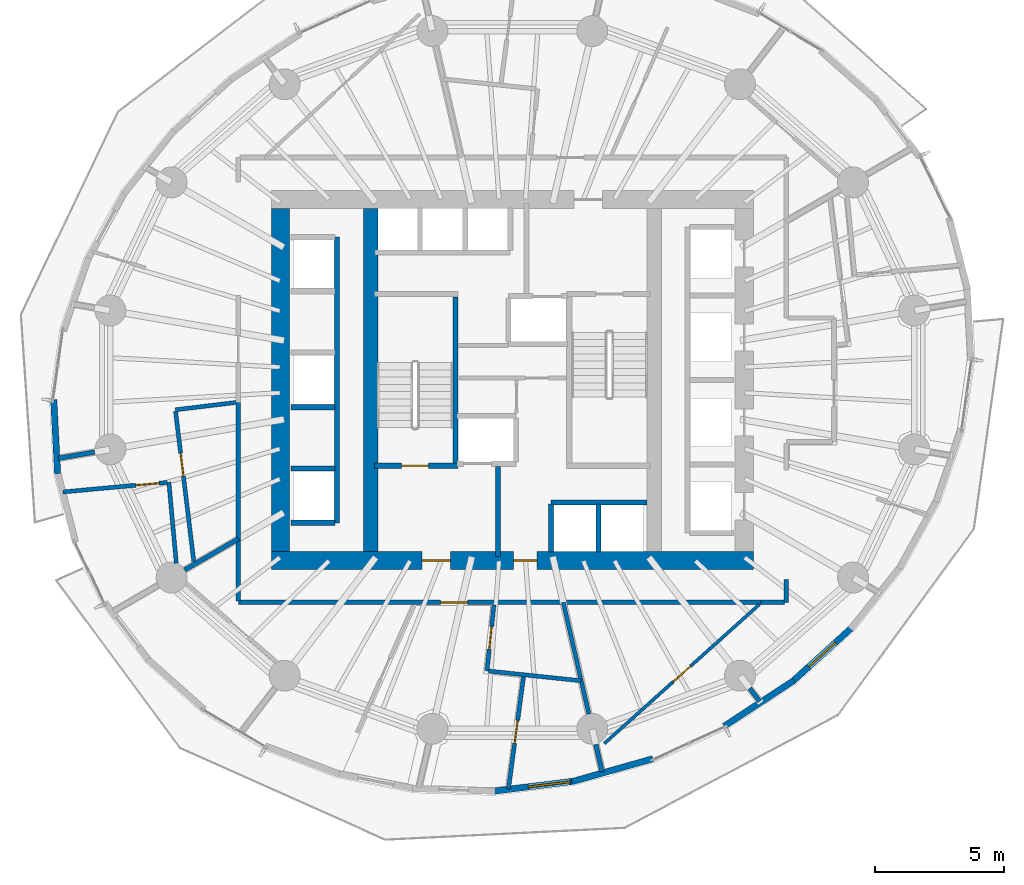
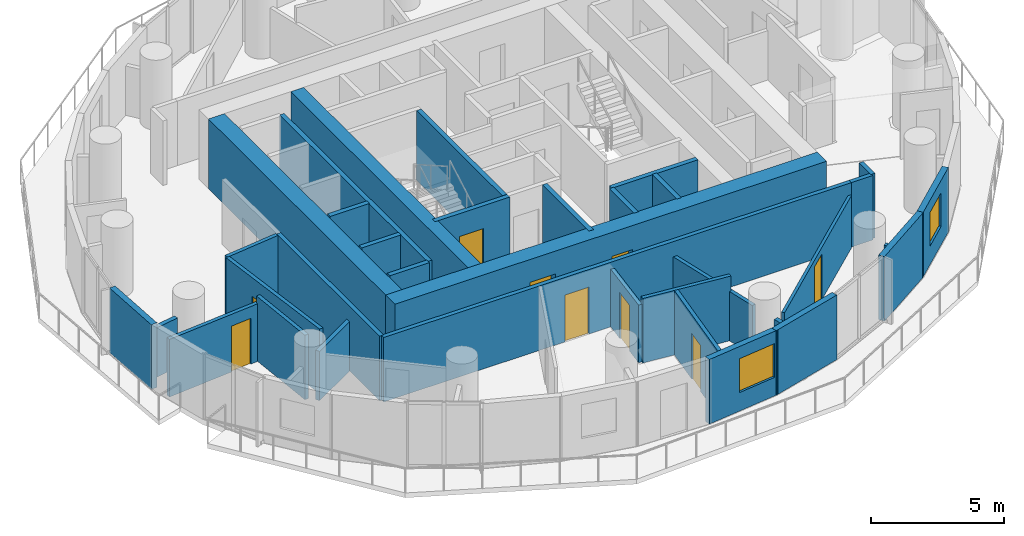
# One storey, part 7 of 14: 35 walls, 9 doors, 2 windows, 11 openings.
"""IFC4 building model written with IfcOpenShell, lengths in metres."""

import ifcopenshell
import ifcopenshell.guid

model = None  # the IFC model being written
_history = None  # IfcOwnerHistory: only IFC2X3 demands one
_inside = {}  # id of a spatial element -> (the spatial element, [elements in it])
_under = {}  # id of a project, library or spatial element -> (it, [spatial elements below it])
_declared = {}  # id of a project -> (the project, [libraries it declares])
_typed = {}  # id of a type object -> (the type object, [elements of that type])
_made_of = {}  # id of a material, layer set ... -> (it, [elements and type objects made of it])


def new_model(schema):
    """Start an empty IFC model of exactly this schema.

    Asked for "IFC4X3", IfcOpenShell would pick the latest addendum, in which some entities
    have other attributes; the version numbers below select the first issue.
    IFC2X3 requires an IfcOwnerHistory on every rooted entity: one is made here for all.
    """
    global model, _history
    if schema == "IFC4X3":
        model = ifcopenshell.file(schema_version=(4, 3, 0, 0))
    else:
        model = ifcopenshell.file(schema=schema)
    _inside.clear()
    _under.clear()
    _declared.clear()
    _typed.clear()
    _made_of.clear()
    _history = None
    if model.schema == "IFC2X3":
        org = make("IfcOrganization", Name="unknown")
        user = make(
            "IfcPersonAndOrganization",
            ThePerson=make("IfcPerson", FamilyName="unknown"),
            TheOrganization=org,
        )
        app = make(
            "IfcApplication",
            ApplicationDeveloper=org,
            Version="unknown",
            ApplicationFullName="unknown",
            ApplicationIdentifier="unknown",
        )
        _history = make(
            "IfcOwnerHistory",
            OwningUser=user,
            OwningApplication=app,
            ChangeAction="ADDED",
            CreationDate=0,
        )
    return model


def make(cls, **values):
    """One entity of the class cls with the attributes given. An attribute that is None is left unset."""
    return model.create_entity(
        cls, **{name: value for name, value in values.items() if value is not None}
    )


def rooted(cls, **values):
    """An entity with a GlobalId (a new one), such as an element, a storey or a relation."""
    return make(cls, GlobalId=ifcopenshell.guid.new(), OwnerHistory=_history, **values)


def si_unit(unit_type, name, prefix=None):
    """IfcSIUnit, for example si_unit("LENGTHUNIT", "METRE", prefix="MILLI")."""
    return make("IfcSIUnit", UnitType=unit_type, Prefix=prefix, Name=name)


def assignment(units):
    """IfcUnitAssignment: the units of a project."""
    return None if units is None else make("IfcUnitAssignment", Units=units)


def point(xyz):
    """IfcCartesianPoint."""
    return None if xyz is None else make("IfcCartesianPoint", Coordinates=xyz)


def direction(xyz):
    """IfcDirection."""
    return None if xyz is None else make("IfcDirection", DirectionRatios=xyz)


def frame(location, z_axis=None, x_axis=None):
    """IfcAxis2Placement3D, a coordinate frame: its origin and axes. An axis left out is left unset."""
    return make(
        "IfcAxis2Placement3D",
        Location=point(location),
        Axis=direction(z_axis),
        RefDirection=direction(x_axis),
    )


def frame_2d(location, x_axis=None):
    """IfcAxis2Placement2D, a coordinate frame in the plane: its origin and x axis."""
    return make(
        "IfcAxis2Placement2D", Location=point(location), RefDirection=direction(x_axis)
    )


def origin():
    """The frame at (0, 0, 0) with its axes left unset."""
    return frame((0.0, 0.0, 0.0))


def place(relative_to, where):
    """IfcLocalPlacement: puts the frame where relative to a parent placement (None: the world)."""
    return make(
        "IfcLocalPlacement", PlacementRelTo=relative_to, RelativePlacement=where
    )


def context(
    kind, dimensions, precision=None, world=None, true_north=None, identifier=None
):
    """IfcGeometricRepresentationContext, for example the 3D "Model" context."""
    return make(
        "IfcGeometricRepresentationContext",
        ContextIdentifier=identifier,
        ContextType=kind,
        CoordinateSpaceDimension=dimensions,
        Precision=precision,
        WorldCoordinateSystem=world,
        TrueNorth=true_north,
    )


def subcontext(parent, identifier, kind, view, scale=None):
    """IfcGeometricRepresentationSubContext, for example "Body" below "Model"."""
    return make(
        "IfcGeometricRepresentationSubContext",
        ContextIdentifier=identifier,
        ContextType=kind,
        ParentContext=parent,
        TargetScale=scale,
        TargetView=view,
    )


def project(units=None, contexts=None):
    """IfcProject with its units and contexts."""
    return rooted(
        "IfcProject",
        Name="project",
        RepresentationContexts=contexts,
        UnitsInContext=assignment(units),
    )


def spatial(cls, under=None, at=None, **own):
    """A site, building, storey or space (cls), placed at a placement, below another one or the project."""
    s = rooted(cls, ObjectPlacement=at, **own)
    if under is not None:
        _under.setdefault(under.id(), (under, []))[1].append(s)
    return s


def profile(cls, at=None, kind="AREA", **sizes):
    """A parametric profile (cls). Its sizes go by their IFC names, for example OverallWidth=200.0."""
    return make(cls, ProfileType=kind, Position=at, **sizes)


def rectangle(**sizes):
    """IfcRectangleProfileDef."""
    return profile("IfcRectangleProfileDef", **sizes)


def extrude(swept, where, along, depth):
    """IfcExtrudedAreaSolid: the profile swept, set in the frame where, extruded along a direction by depth."""
    return make(
        "IfcExtrudedAreaSolid",
        SweptArea=swept,
        Position=where,
        ExtrudedDirection=direction(along),
        Depth=depth,
    )


def shape(context_of_items, identifier, shape_type, items):
    """IfcShapeRepresentation: the items that make up one representation, for example the "Body"."""
    return make(
        "IfcShapeRepresentation",
        ContextOfItems=context_of_items,
        RepresentationIdentifier=identifier,
        RepresentationType=shape_type,
        Items=items,
    )


def material(Name=None, Category=None):
    """IfcMaterial."""
    return make("IfcMaterial", Name=Name, Category=Category)


def layer(
    of_material, thickness, ventilated=None, Name=None, Category=None, Priority=None
):
    """IfcMaterialLayer: one layer of a wall or slab, of a material (None: an air gap)."""
    return make(
        "IfcMaterialLayer",
        Material=of_material,
        LayerThickness=thickness,
        IsVentilated=ventilated,
        Name=Name,
        Category=Category,
        Priority=Priority,
    )


def layer_set(layers, Name=None):
    """IfcMaterialLayerSet."""
    return make("IfcMaterialLayerSet", MaterialLayers=layers, LayerSetName=Name)


def made_of(thing, what):
    """Note that an element or type object is made of a material, layer set ...; save() writes the relation."""
    if what is not None:
        _made_of.setdefault(what.id(), (what, []))[1].append(thing)
    return thing


def type_object(cls, material=None, **own):
    """A type object (cls), such as IfcWallType, which elements share."""
    return made_of(rooted(cls, **own), material)


def element(
    cls,
    number,
    at=None,
    inside=None,
    cuts=None,
    type_object=None,
    material=None,
    context=None,
    identifier="Body",
    shape_type=None,
    held_by="IfcProductDefinitionShape",
    body=None,
    shapes=None,
    **own,
):
    """One element of the class cls, such as IfcWall. Its Tag is "e" and its number.

    at: its placement. inside: the storey or other place that contains it. cuts: it is an
    opening in that element (IfcRelVoidsElement). A single representation is given by context,
    identifier, shape_type and body (its items); several are given by shapes. held_by: the class
    of the entity that holds the representations. save() writes the other relations.
    """
    e = rooted(cls, Tag="e%d" % number, ObjectPlacement=at, **own)
    if body is not None:
        shapes = [shape(context, identifier, shape_type, body)]
    if shapes is not None:
        e.Representation = make(held_by, Representations=shapes)
    if inside is not None:
        _inside.setdefault(inside.id(), (inside, []))[1].append(e)
    if cuts is not None:
        rooted(
            "IfcRelVoidsElement", RelatingBuildingElement=cuts, RelatedOpeningElement=e
        )
    if type_object is not None:
        _typed.setdefault(type_object.id(), (type_object, []))[1].append(e)
    return made_of(e, material)


def fill(opening, filler):
    """IfcRelFillsElement: the door or window that sits in an opening."""
    return rooted(
        "IfcRelFillsElement",
        RelatingOpeningElement=opening,
        RelatedBuildingElement=filler,
    )


def aggregate(whole, parts):
    """IfcRelAggregates: a whole, such as a stair, and the parts it consists of."""
    return rooted("IfcRelAggregates", RelatingObject=whole, RelatedObjects=parts)


def save(model, path):
    """Write the relations noted so far, then the file.

    IfcRelAggregates (storeys below a building ...), IfcRelContainedInSpatialStructure (elements
    in a storey), IfcRelDefinesByType, IfcRelAssociatesMaterial and IfcRelDeclares: one each for
    every whole, place, type object, material and project.
    """
    for whole, parts in _under.values():
        aggregate(whole, parts)
    for where, things in _inside.values():
        rooted(
            "IfcRelContainedInSpatialStructure",
            RelatedElements=things,
            RelatingStructure=where,
        )
    for kind, things in _typed.values():
        rooted("IfcRelDefinesByType", RelatedObjects=things, RelatingType=kind)
    for what, things in _made_of.values():
        rooted("IfcRelAssociatesMaterial", RelatedObjects=things, RelatingMaterial=what)
    for by, libraries in _declared.values():
        rooted("IfcRelDeclares", RelatingContext=by, RelatedDefinitions=libraries)
    model.write(path)


model = new_model("IFC4")

# Units and contexts
model_context = context("Model", 3, precision=1e-05, world=origin(), true_north=direction((0.0, 1.0)))
body_context = subcontext(model_context, "Body", "Model", "MODEL_VIEW")
ifc_project = project(units=[si_unit("LENGTHUNIT", "METRE"), si_unit("AREAUNIT", "SQUARE_METRE"), si_unit("VOLUMEUNIT", "CUBIC_METRE"), si_unit("PLANEANGLEUNIT", "RADIAN"), si_unit("MASSUNIT", "GRAM", prefix="KILO")], contexts=[model_context])

# Site, building, storey
site_placement = place(None, origin())
site = spatial("IfcSite", under=ifc_project, at=site_placement, CompositionType="ELEMENT")
building_placement = place(site_placement, origin())
building = spatial("IfcBuilding", under=site, at=building_placement, Name="Veldorim Arch Residences", CompositionType="ELEMENT")
storey_placement = place(building_placement, frame((0.0, 0.0, 83.679931640625)))
storey = spatial("IfcBuildingStorey", under=building, at=storey_placement, Name="L24", CompositionType="ELEMENT", Elevation=83.679931640625)

# Wall, opening, door
ifc_material_1 = material(Name="Acoustic Gypsum Board", Category="gypsum")
ifc_layer_1 = layer(ifc_material_1, 0.125, Name="Acoustic Stud Room Partition Wall 125")
ifc_layer_set_1 = layer_set([ifc_layer_1], Name="Acoustic Gypsum Board")
wall_type_1 = type_object("IfcWallType", Name="Acoustic Stud Room Partition Wall 125", PredefinedType="PARTITIONING", material=ifc_layer_set_1)
wall_1_placement = place(storey_placement, frame((35.5712890625, 9.89404296875, 0.0), z_axis=(0.0, 0.0, 1.0), x_axis=(0.744379363772, 0.667756963865, 0.0)))
wall_1 = element("IfcWall", 1, at=wall_1_placement, inside=storey, type_object=wall_type_1, Name="L24 interior wall WL-RES-L24-027", PredefinedType="PARTITIONING", context=body_context, shape_type="SweptSolid", body=[
    extrude(rectangle(XDim=8.080322265625, YDim=0.125, at=frame_2d((4.0400390625, 0.0))), origin(), (0.0, 0.0, 1.0), 2.403564453125),
])
opening_1_placement = place(wall_1_placement, frame((3.590087890625, 0.0, 0.0)))
opening_1 = element("IfcOpeningElement", 2, at=opening_1_placement, cuts=wall_1, Name="Opening DR-INT", PredefinedType="OPENING", context=body_context, shape_type="SweptSolid", body=[
    extrude(rectangle(XDim=0.89990234375, YDim=2.10009765625, at=frame_2d((0.449951171875, 1.050048828125))), frame((0.0, 0.072509765625, 0.0), z_axis=(0.0, -1.0, 0.0), x_axis=(1.0, 0.0, 0.0)), (0.0, 0.0, 1.0), 0.14501953125),
])
ifc_material_2 = material(Name="Engineered Timber", Category="wood")
door_type_1 = type_object("IfcDoorType", Name="Apartment Internal Room Timber Door 900x2100", OperationType="SINGLE_SWING_LEFT", PredefinedType="DOOR", material=ifc_material_2)
door_1_placement = place(opening_1_placement, origin())
door_1 = element("IfcDoor", 3, at=door_1_placement, inside=storey, type_object=door_type_1, Name="L24 interior door DR-RES-L24-009", OperationType="SINGLE_SWING_LEFT", OverallHeight=2.10009765625, OverallWidth=0.89990234375, PredefinedType="DOOR", context=body_context, shape_type="SweptSolid", body=[
    extrude(rectangle(XDim=0.89990234375, YDim=2.10009765625, at=frame_2d((0.449951171875, 1.050048828125))), frame((0.0, 0.02490234375, 0.0), z_axis=(0.0, -1.0, 0.0), x_axis=(1.0, 0.0, 0.0)), (0.0, 0.0, 1.0), 0.050048828125),
])
fill(opening_1, door_1)

# Walls
ifc_material_3 = material(Name="Lightweight Masonry Block & Gypsum", Category="masonry")
ifc_layer_2 = layer(ifc_material_3, 0.179931640625, Name="Compartment & Corridor Fire-Rated Party Wall 180")
ifc_layer_set_2 = layer_set([ifc_layer_2], Name="Lightweight Masonry Block & Gypsum")
wall_type_2 = type_object("IfcWallType", Name="Compartment & Corridor Fire-Rated Party Wall 180", PredefinedType="PARTITIONING", material=ifc_layer_set_2)
wall_2_placement = place(storey_placement, frame((15.79443359375, 21.202392578125, 0.0), z_axis=(0.0, 0.0, 1.0), x_axis=(-0.985402123708, -0.170242928172, 0.0)))
element("IfcWall", 4, at=wall_2_placement, inside=storey, type_object=wall_type_2, Name="L24 interior wall WL-PIER-L24-09", PredefinedType="PARTITIONING", context=body_context, shape_type="SweptSolid", body=[
    extrude(rectangle(XDim=1.435546875, YDim=0.179931640625, at=frame_2d((0.7177734375, 0.0))), origin(), (0.0, 0.0, 1.0), 2.2607421875),
])
wall_3_placement = place(storey_placement, frame((35.240478515625, 9.86083984375, 0.0), z_axis=(0.0, 0.0, 1.0), x_axis=(0.223287406217, -0.974752652843, 0.0)))
element("IfcWall", 5, at=wall_3_placement, inside=storey, type_object=wall_type_2, Name="L24 interior wall WL-PIER-L24-13", PredefinedType="PARTITIONING", context=body_context, shape_type="SweptSolid", body=[
    extrude(rectangle(XDim=1.089111328125, YDim=0.179931640625, at=frame_2d((0.54443359375, 0.0))), origin(), (0.0, 0.0, 1.0), 2.2607421875),
])
wall_4_placement = place(storey_placement, frame((41.2119140625, 12.034423828125, 0.0), z_axis=(0.0, 0.0, 1.0), x_axis=(0.609970610867, -0.792424036661, 0.0)))
element("IfcWall", 6, at=wall_4_placement, inside=storey, type_object=wall_type_2, Name="L24 interior wall WL-PIER-L24-14", PredefinedType="PARTITIONING", context=body_context, shape_type="SweptSolid", body=[
    extrude(rectangle(XDim=0.635498046875, YDim=0.179931640625, at=frame_2d((0.31787109375, 0.0))), origin(), (0.0, 0.0, 1.0), 2.2607421875),
])

# Wall, opening, door
wall_5_placement = place(storey_placement, frame((41.6953125, 15.3701171875, 0.0), z_axis=(0.0, 0.0, 1.0), x_axis=(-1.0, 0.0, 0.0)))
wall_5 = element("IfcWall", 7, at=wall_5_placement, inside=storey, type_object=wall_type_2, Name="L24 interior wall WL-RES-L24-001", PredefinedType="PARTITIONING", context=body_context, shape_type="SweptSolid", body=[
    extrude(rectangle(XDim=20.3251953125, YDim=0.179931640625, at=frame_2d((10.16259765625, 0.0))), origin(), (0.0, 0.0, 1.0), 2.955078125),
])
opening_2_placement = place(wall_5_placement, frame((11.423583984375, 0.0, 0.0)))
opening_2 = element("IfcOpeningElement", 8, at=opening_2_placement, cuts=wall_5, Name="Opening DR-FLT", PredefinedType="OPENING", context=body_context, shape_type="SweptSolid", body=[
    extrude(rectangle(XDim=1.050048828125, YDim=2.14990234375, at=frame_2d((0.52490234375, 1.074951171875))), frame((0.0, 0.099853515625, 0.0), z_axis=(0.0, -1.0, 0.0), x_axis=(1.0, 0.0, 0.0)), (0.0, 0.0, 1.0), 0.199951171875),
])
ifc_material_4 = material(Name="Fire-Rated Timber", Category="wood")
door_type_2 = type_object("IfcDoorType", Name="Apartment Entrance Solid-Core Fire Door 1050x2150", OperationType="SINGLE_SWING_LEFT", PredefinedType="DOOR", material=ifc_material_4)
door_2_placement = place(opening_2_placement, origin())
door_2 = element("IfcDoor", 9, at=door_2_placement, inside=storey, type_object=door_type_2, Name="L24 interior door DR-RES-L24-001", OperationType="SINGLE_SWING_LEFT", OverallHeight=2.14990234375, OverallWidth=1.050048828125, PredefinedType="DOOR", context=body_context, shape_type="SweptSolid", body=[
    extrude(rectangle(XDim=1.050048828125, YDim=2.14990234375, at=frame_2d((0.52490234375, 1.074951171875))), frame((0.0, 0.02490234375, 0.0), z_axis=(0.0, -1.0, 0.0), x_axis=(1.0, 0.0, 0.0)), (0.0, 0.0, 1.0), 0.050048828125),
])
fill(opening_2, door_2)

# Walls
wall_6_placement = place(storey_placement, frame((21.3701171875, 15.429931640625, 0.0), z_axis=(0.0, 0.0, 1.0), x_axis=(0.0, 1.0, 0.0)))
element("IfcWall", 10, at=wall_6_placement, inside=storey, type_object=wall_type_2, Name="L24 interior wall WL-RES-L24-002", PredefinedType="PARTITIONING", context=body_context, shape_type="SweptSolid", body=[
    extrude(rectangle(XDim=7.7265625, YDim=0.179931640625, at=frame_2d((3.86328125, 0.0))), origin(), (0.0, 0.0, 1.0), 2.955078125),
])
wall_7_placement = place(storey_placement, frame((42.6298828125, 16.253173828125, 0.0), z_axis=(0.0, 0.0, 1.0), x_axis=(0.0, -1.0, 0.0)))
element("IfcWall", 11, at=wall_7_placement, inside=storey, type_object=wall_type_2, Name="L24 interior wall WL-RES-L24-006", PredefinedType="PARTITIONING", context=body_context, shape_type="SweptSolid", body=[
    extrude(rectangle(XDim=0.883056640625, YDim=0.179931640625, at=frame_2d((0.44140625, 0.0))), origin(), (0.0, 0.0, 1.0), 2.955078125),
])
wall_8_placement = place(storey_placement, frame((42.570068359375, 15.3701171875, 0.0), z_axis=(0.0, 0.0, 1.0), x_axis=(-1.0, 0.0, 0.0)))
element("IfcWall", 12, at=wall_8_placement, inside=storey, type_object=wall_type_2, Name="L24 interior wall WL-RES-L24-007", PredefinedType="PARTITIONING", context=body_context, shape_type="SweptSolid", body=[
    extrude(rectangle(XDim=0.924560546875, YDim=0.179931640625, at=frame_2d((0.46240234375, 0.0))), origin(), (0.0, 0.0, 1.0), 2.955078125),
])
wall_9_placement = place(storey_placement, frame((19.28759765625, 16.627685546875, 0.0), z_axis=(0.0, 0.0, 1.0), x_axis=(0.86502326608, 0.501731750182, 0.0)))
element("IfcWall", 13, at=wall_9_placement, inside=storey, type_object=wall_type_2, Name="L24 interior wall WL-RES-L24-020", PredefinedType="PARTITIONING", context=body_context, shape_type="SweptSolid", body=[
    extrude(rectangle(XDim=2.4072265625, YDim=0.179931640625, at=frame_2d((1.20361328125, 0.0))), origin(), (0.0, 0.0, 1.0), 2.2607421875),
])
ifc_material_5 = material(Name="Concrete C50/60", Category="concrete")
ifc_layer_3 = layer(ifc_material_5, 0.199951171875, Name="Core Stair & Lift Shaft Enclosure Wall 200")
ifc_layer_set_3 = layer_set([ifc_layer_3], Name="Concrete C50/60")
wall_type_3 = type_object("IfcWallType", Name="Core Stair & Lift Shaft Enclosure Wall 200", PredefinedType="SHEAR", material=ifc_layer_set_3)
wall_10_placement = place(storey_placement, frame((29.7900390625, 20.780029296875, 0.0), z_axis=(0.0, 0.0, 1.0), x_axis=(0.0, 1.0, 0.0)))
element("IfcWall", 14, at=wall_10_placement, inside=storey, type_object=wall_type_3, Name="L24 shaft wall WL-SHF-L24-ST1-E", PredefinedType="SHEAR", context=body_context, shape_type="SweptSolid", body=[
    extrude(rectangle(XDim=6.43994140625, YDim=0.199951171875, at=frame_2d((3.219970703125, 0.0))), origin(), (0.0, 0.0, 1.0), 3.199951171875),
])

# Wall, opening, door
wall_11_placement = place(storey_placement, frame((26.64990234375, 20.669921875, 0.0), z_axis=(0.0, 0.0, 1.0), x_axis=(1.0, 0.0, 0.0)))
wall_11 = element("IfcWall", 15, at=wall_11_placement, inside=storey, type_object=wall_type_3, Name="L24 shaft wall WL-SHF-L24-ST1-S", PredefinedType="SHEAR", context=body_context, shape_type="SweptSolid", body=[
    extrude(rectangle(XDim=3.239990234375, YDim=0.199951171875, at=frame_2d((1.6201171875, 0.0))), origin(), (0.0, 0.0, 1.0), 3.199951171875),
])
opening_3_placement = place(wall_11_placement, frame((1.054931640625, 0.0, 0.0)))
opening_3 = element("IfcOpeningElement", 16, at=opening_3_placement, cuts=wall_11, Name="Opening DR-ST", PredefinedType="OPENING", context=body_context, shape_type="SweptSolid", body=[
    extrude(rectangle(XDim=1.050048828125, YDim=2.14990234375, at=frame_2d((0.52490234375, 1.074951171875))), frame((0.0, 0.10986328125, 0.0), z_axis=(0.0, -1.0, 0.0), x_axis=(1.0, 0.0, 0.0)), (0.0, 0.0, 1.0), 0.219970703125),
])
ifc_material_6 = material(Name="Fire-Rated Steel", Category="steel")
door_type_3 = type_object("IfcDoorType", Name="Exit Staircase Self-Closing Fire Door 1050x2150", OperationType="SINGLE_SWING_LEFT", PredefinedType="DOOR", material=ifc_material_6)
door_3_placement = place(opening_3_placement, origin())
door_3 = element("IfcDoor", 17, at=door_3_placement, inside=storey, type_object=door_type_3, Name="L24 interior door DR-L24-ST1", OperationType="SINGLE_SWING_LEFT", OverallHeight=2.14990234375, OverallWidth=1.050048828125, PredefinedType="DOOR", context=body_context, shape_type="SweptSolid", body=[
    extrude(rectangle(XDim=1.050048828125, YDim=2.14990234375, at=frame_2d((0.52490234375, 1.074951171875))), frame((0.0, 0.02490234375, 0.0), z_axis=(0.0, -1.0, 0.0), x_axis=(1.0, 0.0, 0.0)), (0.0, 0.0, 1.0), 0.050048828125),
])
fill(opening_3, door_3)

# Walls
wall_12_placement = place(storey_placement, frame((31.449951171875, 17.14990234375, 0.0), z_axis=(0.0, 0.0, 1.0), x_axis=(0.0, 1.0, 0.0)))
element("IfcWall", 18, at=wall_12_placement, inside=storey, type_object=wall_type_3, Name="L24 shaft wall WL-FFL1-L24-E", PredefinedType="SHEAR", context=body_context, shape_type="SweptSolid", body=[
    extrude(rectangle(XDim=3.5, YDim=0.199951171875, at=frame_2d((1.75, 0.0))), origin(), (0.0, 0.0, 1.0), 3.199951171875),
])
wall_13_placement = place(storey_placement, frame((25.199951171875, 18.4599609375, 0.0), z_axis=(0.0, 0.0, 1.0), x_axis=(0.0, 1.0, 0.0)))
element("IfcWall", 19, at=wall_13_placement, inside=storey, type_object=wall_type_3, Name="L24 shaft wall WL-B2-L24-E", PredefinedType="SHEAR", context=body_context, shape_type="SweptSolid", body=[
    extrude(rectangle(XDim=11.080078125, YDim=0.199951171875, at=frame_2d((5.5400390625, 0.0))), origin(), (0.0, 0.0, 1.0), 3.199951171875),
])
for number, where, z_axis, x_axis, name in (
    (20, (23.419921875, 18.4599609375, 0.0), (0.0, 0.0, 1.0), (1.0, 0.0, 0.0), "L24 shaft wall WL-B2-L24-S"),
    (21, (23.419921875, 20.56005859375, 0.0), (0.0, 0.0, 1.0), (1.0, 0.0, 0.0), "L24 shaft wall WL-B2-L24-D1A"),
    (22, (23.419921875, 22.93994140625, 0.0), (0.0, 0.0, 1.0), (1.0, 0.0, 0.0), "L24 shaft wall WL-B2-L24-D1B"),
):
    element("IfcWall", number, at=place(storey_placement, frame(where, z_axis=z_axis, x_axis=x_axis)), inside=storey, type_object=wall_type_3, Name=name, PredefinedType="SHEAR", context=body_context, shape_type="SweptSolid", body=[
        extrude(rectangle(XDim=1.7099609375, YDim=0.199951171875, at=frame_2d((0.85498046875, 0.0))), origin(), (0.0, 0.0, 1.0), 3.199951171875),
    ])
wall_14_placement = place(storey_placement, frame((33.5, 19.25, 0.0), z_axis=(0.0, 0.0, 1.0), x_axis=(1.0, 0.0, 0.0)))
element("IfcWall", 23, at=wall_14_placement, inside=storey, type_object=wall_type_3, Name="L24 shaft wall WL-OL-L24-N", PredefinedType="SHEAR", context=body_context, shape_type="SweptSolid", body=[
    extrude(rectangle(XDim=3.719970703125, YDim=0.199951171875, at=frame_2d((1.85986328125, 0.0))), origin(), (0.0, 0.0, 1.0), 3.199951171875),
])
for number, where, z_axis, x_axis, name in (
    (24, (33.5, 17.320068359375, 0.0), (0.0, 0.0, 1.0), (0.0, 1.0, 0.0), "L24 shaft wall WL-OL-L24-W"),
    (25, (35.35009765625, 17.320068359375, 0.0), (0.0, 0.0, 1.0), (0.0, 1.0, 0.0), "L24 shaft wall WL-OL-L24-D1"),
):
    element("IfcWall", number, at=place(storey_placement, frame(where, z_axis=z_axis, x_axis=x_axis)), inside=storey, type_object=wall_type_3, Name=name, PredefinedType="SHEAR", context=body_context, shape_type="SweptSolid", body=[
        extrude(rectangle(XDim=1.85986328125, YDim=0.199951171875, at=frame_2d((0.929931640625, 0.0))), origin(), (0.0, 0.0, 1.0), 3.199951171875),
    ])
ifc_material_7 = material(Name="Concrete C60/75", Category="concrete")
ifc_layer_4 = layer(ifc_material_7, 0.56005859375, Name="Internal Core Shear Web Wall 560")
ifc_layer_set_4 = layer_set([ifc_layer_4], Name="Concrete C60/75")
wall_type_4 = type_object("IfcWallType", Name="Internal Core Shear Web Wall 560", PredefinedType="SHEAR", material=ifc_layer_set_4)
wall_15_placement = place(storey_placement, frame((26.5, 17.35009765625, 0.0), z_axis=(0.0, 0.0, 1.0), x_axis=(0.0, 1.0, 0.0)))
element("IfcWall", 26, at=wall_15_placement, inside=storey, type_object=wall_type_4, Name="L24 core west internal shear web", PredefinedType="SHEAR", context=body_context, shape_type="SweptSolid", body=[
    extrude(rectangle(XDim=13.2998046875, YDim=0.56005859375, at=frame_2d((6.64990234375, 0.0))), origin(), (0.0, 0.0, 1.0), 3.199951171875),
])

# Wall, openings, doors
ifc_material_8 = material(Name="Concrete C60/75", Category="concrete")
ifc_layer_5 = layer(ifc_material_8, 0.699951171875, Name="Mid-Lower Central Core Shear Wall 700")
ifc_layer_set_5 = layer_set([ifc_layer_5], Name="Concrete C60/75")
wall_type_5 = type_object("IfcWallType", Name="Mid-Lower Central Core Shear Wall 700", PredefinedType="SHEAR", material=ifc_layer_set_5)
wall_16_placement = place(storey_placement, frame((22.64990234375, 17.0, 0.0), z_axis=(0.0, 0.0, 1.0), x_axis=(1.0, 0.0, 0.0)))
wall_16 = element("IfcWall", 27, at=wall_16_placement, inside=storey, type_object=wall_type_5, Name="L24 central core south shear wall", PredefinedType="SHEAR", context=body_context, shape_type="SweptSolid", body=[
    extrude(rectangle(XDim=18.7001953125, YDim=0.699951171875, at=frame_2d((9.35009765625, 0.0))), origin(), (0.0, 0.0, 1.0), 3.199951171875),
])
opening_4_placement = place(wall_16_placement, frame((5.85009765625, 0.0, 0.0)))
opening_4 = element("IfcOpeningElement", 28, at=opening_4_placement, cuts=wall_16, Name="Opening DR-FFL", PredefinedType="OPENING", context=body_context, shape_type="SweptSolid", body=[
    extrude(rectangle(XDim=1.10009765625, YDim=2.14990234375, at=frame_2d((0.550048828125, 1.074951171875))), frame((0.0, 0.35986328125, 0.0), z_axis=(0.0, -1.0, 0.0), x_axis=(1.0, 0.0, 0.0)), (0.0, 0.0, 1.0), 0.719970703125),
])
opening_5_placement = place(wall_16_placement, frame((9.39990234375, 0.0, 0.0)))
opening_5 = element("IfcOpeningElement", 29, at=opening_5_placement, cuts=wall_16, Name="Opening DR-SVC", PredefinedType="OPENING", context=body_context, shape_type="SweptSolid", body=[
    extrude(rectangle(XDim=0.89990234375, YDim=2.10009765625, at=frame_2d((0.449951171875, 1.050048828125))), frame((0.0, 0.35986328125, 0.0), z_axis=(0.0, -1.0, 0.0), x_axis=(1.0, 0.0, 0.0)), (0.0, 0.0, 1.0), 0.719970703125),
])
ifc_material_9 = material(Name="Fire-Rated Steel & Vision Glass", Category="steel")
door_type_4 = type_object("IfcDoorType", Name="Firefighting Lobby Smoke-Stop Fire Door 1100x2150", OperationType="SINGLE_SWING_LEFT", PredefinedType="DOOR", material=ifc_material_9)
door_4_placement = place(opening_4_placement, origin())
door_4 = element("IfcDoor", 30, at=door_4_placement, inside=storey, type_object=door_type_4, Name="L24 interior door DR-L24-FFL1", OperationType="SINGLE_SWING_RIGHT", OverallHeight=2.14990234375, OverallWidth=1.10009765625, PredefinedType="DOOR", context=body_context, shape_type="SweptSolid", body=[
    extrude(rectangle(XDim=1.10009765625, YDim=2.14990234375, at=frame_2d((0.550048828125, 1.074951171875))), frame((0.0, 0.02490234375, 0.0), z_axis=(0.0, -1.0, 0.0), x_axis=(1.0, 0.0, 0.0)), (0.0, 0.0, 1.0), 0.050048828125),
])
fill(opening_4, door_4)
ifc_material_10 = material(Name="Fire-Rated Steel", Category="steel")
door_type_5 = type_object("IfcDoorType", Name="Riser, Shelter & Plant Room Rated Steel Door 900x2100", OperationType="SINGLE_SWING_LEFT", PredefinedType="DOOR", material=ifc_material_10)
door_5_placement = place(opening_5_placement, origin())
door_5 = element("IfcDoor", 31, at=door_5_placement, inside=storey, type_object=door_type_5, Name="L24 interior door DR-L24-COR-ANC", OperationType="SINGLE_SWING_LEFT", OverallHeight=2.10009765625, OverallWidth=0.89990234375, PredefinedType="DOOR", context=body_context, shape_type="SweptSolid", body=[
    extrude(rectangle(XDim=0.89990234375, YDim=2.10009765625, at=frame_2d((0.449951171875, 1.050048828125))), frame((0.0, 0.02490234375, 0.0), z_axis=(0.0, -1.0, 0.0), x_axis=(1.0, 0.0, 0.0)), (0.0, 0.0, 1.0), 0.050048828125),
])
fill(opening_5, door_5)

# Walls
wall_17_placement = place(storey_placement, frame((23.0, 17.35009765625, 0.0), z_axis=(0.0, 0.0, 1.0), x_axis=(0.0, 1.0, 0.0)))
element("IfcWall", 32, at=wall_17_placement, inside=storey, type_object=wall_type_5, Name="L24 central core west shear wall", PredefinedType="SHEAR", context=body_context, shape_type="SweptSolid", body=[
    extrude(rectangle(XDim=13.2998046875, YDim=0.699951171875, at=frame_2d((6.64990234375, 0.0))), origin(), (0.0, 0.0, 1.0), 3.199951171875),
])
ifc_material_11 = material(Name="Precast concrete C40/50", Category="concrete")
ifc_layer_6 = layer(ifc_material_11, 0.25, Name="Tower Terracotta Spandrel & Pier Wall 250")
ifc_layer_set_6 = layer_set([ifc_layer_6], Name="Precast concrete C40/50")
wall_type_6 = type_object("IfcWallType", Name="Tower Terracotta Spandrel & Pier Wall 250", PredefinedType="SOLIDWALL", material=ifc_layer_set_6)
wall_18_placement = place(storey_placement, frame((14.356201171875, 20.35986328125, 0.0), z_axis=(0.0, 0.0, 1.0), x_axis=(-0.052411702269, 0.998625562193, 0.0)))
element("IfcWall", 33, at=wall_18_placement, inside=storey, type_object=wall_type_6, Name="L24 terracotta facade wall 17", PredefinedType="SOLIDWALL", context=body_context, shape_type="SweptSolid", body=[
    extrude(rectangle(XDim=2.8740234375, YDim=0.25, at=frame_2d((1.43701171875, 0.0))), origin(), (0.0, 0.0, 1.0), 2.9599609375),
])

# Wall, opening, window
wall_19_placement = place(storey_placement, frame((34.42529296875, 8.43359375, 0.0), z_axis=(0.0, 0.0, 1.0), x_axis=(-0.99241077266, -0.122966899235, 0.0)))
wall_19 = element("IfcWall", 34, at=wall_19_placement, inside=storey, type_object=wall_type_6, Name="L24 terracotta facade wall 26", PredefinedType="SOLIDWALL", context=body_context, shape_type="SweptSolid", body=[
    extrude(rectangle(XDim=3.236328125, YDim=0.25, at=frame_2d((1.6181640625, 0.0))), origin(), (0.0, 0.0, 1.0), 2.9599609375),
])
opening_6_placement = place(wall_19_placement, frame((0.175048828125, 0.0, 0.85009765625)))
opening_6 = element("IfcOpeningElement", 35, at=opening_6_placement, cuts=wall_19, Name="Opening WN-03", PredefinedType="OPENING", context=body_context, shape_type="SweptSolid", body=[
    extrude(rectangle(XDim=1.64990234375, YDim=1.550048828125, at=frame_2d((0.824951171875, 0.77490234375))), frame((0.0, 0.135009765625, 0.0), z_axis=(0.0, -1.0, 0.0), x_axis=(1.0, 0.0, 0.0)), (0.0, 0.0, 1.0), 0.27001953125),
])
ifc_material_12 = material(Name="Laminated Low-E Glass", Category="glass")
window_type_1 = type_object("IfcWindowType", Name="Residential Wide Window 1650x1550", PartitioningType="SINGLE_PANEL", PredefinedType="WINDOW", material=ifc_material_12)
window_1_placement = place(opening_6_placement, origin())
window_1 = element("IfcWindow", 36, at=window_1_placement, inside=storey, type_object=window_type_1, Name="L24 solar-control facade window 26", OverallHeight=1.550048828125, OverallWidth=1.64990234375, PartitioningType="SINGLE_PANEL", PredefinedType="WINDOW", context=body_context, shape_type="SweptSolid", body=[
    extrude(rectangle(XDim=1.64990234375, YDim=1.550048828125, at=frame_2d((0.824951171875, 0.77490234375))), frame((0.0, 0.030029296875, 0.0), z_axis=(0.0, -1.0, 0.0), x_axis=(1.0, 0.0, 0.0)), (0.0, 0.0, 1.0), 0.06005859375),
])
fill(opening_6, window_1)

# Walls
wall_20_placement = place(storey_placement, frame((37.45458984375, 9.300537109375, 0.0), z_axis=(0.0, 0.0, 1.0), x_axis=(-0.962134911526, -0.272573681825, 0.0)))
element("IfcWall", 37, at=wall_20_placement, inside=storey, type_object=wall_type_6, Name="L24 terracotta facade wall 27", PredefinedType="SOLIDWALL", context=body_context, shape_type="SweptSolid", body=[
    extrude(rectangle(XDim=3.259521484375, YDim=0.25, at=frame_2d((1.6298828125, 0.0))), origin(), (0.0, 0.0, 1.0), 2.9599609375),
])
wall_21_placement = place(storey_placement, frame((42.929443359375, 12.3369140625, 0.0), z_axis=(0.0, 0.0, 1.0), x_axis=(-0.836273856728, -0.548311988336, 0.0)))
element("IfcWall", 38, at=wall_21_placement, inside=storey, type_object=wall_type_6, Name="L24 terracotta facade wall 29", PredefinedType="SOLIDWALL", context=body_context, shape_type="SweptSolid", body=[
    extrude(rectangle(XDim=3.236083984375, YDim=0.25, at=frame_2d((1.6181640625, 0.0))), origin(), (0.0, 0.0, 1.0), 2.9599609375),
])

# Wall, opening, window
wall_22_placement = place(storey_placement, frame((45.207763671875, 14.414306640625, 0.0), z_axis=(0.0, 0.0, 1.0), x_axis=(-0.740832321657, -0.671690011232, 0.0)))
wall_22 = element("IfcWall", 39, at=wall_22_placement, inside=storey, type_object=wall_type_6, Name="L24 terracotta facade wall 30", PredefinedType="SOLIDWALL", context=body_context, shape_type="SweptSolid", body=[
    extrude(rectangle(XDim=3.19189453125, YDim=0.25, at=frame_2d((1.595947265625, 0.0))), origin(), (0.0, 0.0, 1.0), 2.9599609375),
])
opening_7_placement = place(wall_22_placement, frame((0.89599609375, 0.0, 0.85009765625)))
opening_7 = element("IfcOpeningElement", 40, at=opening_7_placement, cuts=wall_22, Name="Opening WN-02", PredefinedType="OPENING", context=body_context, shape_type="SweptSolid", body=[
    extrude(rectangle(XDim=1.39990234375, YDim=1.550048828125, at=frame_2d((0.699951171875, 0.77490234375))), frame((0.0, 0.135009765625, 0.0), z_axis=(0.0, -1.0, 0.0), x_axis=(1.0, 0.0, 0.0)), (0.0, 0.0, 1.0), 0.27001953125),
])
ifc_material_13 = material(Name="Laminated Low-E Glass", Category="glass")
window_type_2 = type_object("IfcWindowType", Name="Residential Casement Window 1400x1550", PartitioningType="SINGLE_PANEL", PredefinedType="WINDOW", material=ifc_material_13)
window_2_placement = place(opening_7_placement, origin())
window_2 = element("IfcWindow", 41, at=window_2_placement, inside=storey, type_object=window_type_2, Name="L24 solar-control facade window 30", OverallHeight=1.550048828125, OverallWidth=1.39990234375, PartitioningType="SINGLE_PANEL", PredefinedType="WINDOW", context=body_context, shape_type="SweptSolid", body=[
    extrude(rectangle(XDim=1.39990234375, YDim=1.550048828125, at=frame_2d((0.699951171875, 0.77490234375))), frame((0.0, 0.030029296875, 0.0), z_axis=(0.0, -1.0, 0.0), x_axis=(1.0, 0.0, 0.0)), (0.0, 0.0, 1.0), 0.06005859375),
])
fill(opening_7, window_2)

# Wall, opening, door
ifc_material_14 = material(Name="Moisture-Resistant Gypsum & Stud", Category="gypsum")
ifc_layer_7 = layer(ifc_material_14, 0.159912109375, Name="Wet-Area Moisture-Resistant Plumbing Wall 160")
ifc_layer_set_7 = layer_set([ifc_layer_7], Name="Moisture-Resistant Gypsum & Stud")
wall_type_7 = type_object("IfcWallType", Name="Wet-Area Moisture-Resistant Plumbing Wall 160", PredefinedType="PLUMBINGWALL", material=ifc_layer_set_7)
wall_23_placement = place(storey_placement, frame((32.447509765625, 12.562255859375, 0.0), z_axis=(0.0, 0.0, 1.0), x_axis=(-0.132986130607, -0.991117898671, 0.0)))
wall_23 = element("IfcWall", 42, at=wall_23_placement, inside=storey, type_object=wall_type_7, Name="L24 interior wall WL-RES-L24-014", PredefinedType="PLUMBINGWALL", context=body_context, shape_type="SweptSolid", body=[
    extrude(rectangle(XDim=4.47216796875, YDim=0.159912109375, at=frame_2d((2.236083984375, 0.0))), origin(), (0.0, 0.0, 1.0), 2.955078125),
])
opening_8_placement = place(wall_23_placement, frame((1.785888671875, 0.0, 0.0)))
opening_8 = element("IfcOpeningElement", 43, at=opening_8_placement, cuts=wall_23, Name="Opening DR-WC", PredefinedType="OPENING", context=body_context, shape_type="SweptSolid", body=[
    extrude(rectangle(XDim=0.89990234375, YDim=2.10009765625, at=frame_2d((0.449951171875, 1.050048828125))), frame((0.0, 0.08984375, 0.0), z_axis=(0.0, -1.0, 0.0), x_axis=(1.0, 0.0, 0.0)), (0.0, 0.0, 1.0), 0.179931640625),
])
ifc_material_15 = material(Name="Laminate Timber", Category="wood")
door_type_6 = type_object("IfcDoorType", Name="Bathroom & Accessible WC Moisture-Sealed Door 900x2100", OperationType="SINGLE_SWING_LEFT", PredefinedType="DOOR", material=ifc_material_15)
door_6_placement = place(opening_8_placement, origin())
door_6 = element("IfcDoor", 44, at=door_6_placement, inside=storey, type_object=door_type_6, Name="L24 interior door DR-RES-L24-002", OperationType="SINGLE_SWING_RIGHT", OverallHeight=2.10009765625, OverallWidth=0.89990234375, PredefinedType="DOOR", context=body_context, shape_type="SweptSolid", body=[
    extrude(rectangle(XDim=0.89990234375, YDim=2.10009765625, at=frame_2d((0.449951171875, 1.050048828125))), frame((0.0, 0.02490234375, 0.0), z_axis=(0.0, -1.0, 0.0), x_axis=(1.0, 0.0, 0.0)), (0.0, 0.0, 1.0), 0.050048828125),
])
fill(opening_8, door_6)

wall_24_placement = place(storey_placement, frame((31.287841796875, 15.2705078125, 0.0), z_axis=(0.0, 0.0, 1.0), x_axis=(-0.105094954285, -0.994462191631, 0.0)))
wall_24 = element("IfcWall", 45, at=wall_24_placement, inside=storey, type_object=wall_type_7, Name="L24 interior wall WL-RES-L24-016", PredefinedType="PLUMBINGWALL", context=body_context, shape_type="SweptSolid", body=[
    extrude(rectangle(XDim=2.571533203125, YDim=0.159912109375, at=frame_2d((1.28564453125, 0.0))), origin(), (0.0, 0.0, 1.0), 2.641357421875),
])
opening_9_placement = place(wall_24_placement, frame((0.835693359375, 0.0, 0.0)))
opening_9 = element("IfcOpeningElement", 46, at=opening_9_placement, cuts=wall_24, Name="Opening DR-INT", PredefinedType="OPENING", context=body_context, shape_type="SweptSolid", body=[
    extrude(rectangle(XDim=0.89990234375, YDim=2.10009765625, at=frame_2d((0.449951171875, 1.050048828125))), frame((0.0, 0.08984375, 0.0), z_axis=(0.0, -1.0, 0.0), x_axis=(1.0, 0.0, 0.0)), (0.0, 0.0, 1.0), 0.179931640625),
])
door_7_placement = place(opening_9_placement, origin())
door_7 = element("IfcDoor", 47, at=door_7_placement, inside=storey, type_object=door_type_1, Name="L24 interior door DR-RES-L24-005", OperationType="SINGLE_SWING_LEFT", OverallHeight=2.10009765625, OverallWidth=0.89990234375, PredefinedType="DOOR", context=body_context, shape_type="SweptSolid", body=[
    extrude(rectangle(XDim=0.89990234375, YDim=2.10009765625, at=frame_2d((0.449951171875, 1.050048828125))), frame((0.0, 0.02490234375, 0.0), z_axis=(0.0, -1.0, 0.0), x_axis=(1.0, 0.0, 0.0)), (0.0, 0.0, 1.0), 0.050048828125),
])
fill(opening_9, door_7)

# Walls
wall_25_placement = place(storey_placement, frame((31.077392578125, 12.706787109375, 0.0), z_axis=(0.0, 0.0, 1.0), x_axis=(0.994472124215, -0.105000924563, 0.0)))
element("IfcWall", 48, at=wall_25_placement, inside=storey, type_object=wall_type_7, Name="L24 interior wall WL-RES-L24-017", PredefinedType="PLUMBINGWALL", context=body_context, shape_type="SweptSolid", body=[
    extrude(rectangle(XDim=3.617919921875, YDim=0.159912109375, at=frame_2d((1.80908203125, 0.0))), origin(), (0.0, 0.0, 1.0), 2.955078125),
])
wall_26_placement = place(storey_placement, frame((33.97802734375, 15.3701171875, 0.0), z_axis=(0.0, 0.0, 1.0), x_axis=(0.223321757884, -0.974744783241, 0.0)))
element("IfcWall", 49, at=wall_26_placement, inside=storey, type_object=wall_type_7, Name="L24 interior wall WL-RES-L24-018", PredefinedType="PLUMBINGWALL", context=body_context, shape_type="SweptSolid", body=[
    extrude(rectangle(XDim=4.441650390625, YDim=0.159912109375, at=frame_2d((2.220703125, 0.0))), origin(), (0.0, 0.0, 1.0), 2.2607421875),
])
wall_27_placement = place(storey_placement, frame((18.963623046875, 16.886962890625, 0.0), z_axis=(0.0, 0.0, 1.0), x_axis=(-0.091023836021, 0.995848714051, 0.0)))
element("IfcWall", 50, at=wall_27_placement, inside=storey, type_object=wall_type_7, Name="L24 interior wall WL-RES-L24-034", PredefinedType="PLUMBINGWALL", context=body_context, shape_type="SweptSolid", body=[
    extrude(rectangle(XDim=3.156982421875, YDim=0.159912109375, at=frame_2d((1.57861328125, 0.0))), origin(), (0.0, 0.0, 1.0), 2.955078125),
])

# Wall, opening, door
wall_28_placement = place(storey_placement, frame((18.616455078125, 20.025390625, 0.0), z_axis=(0.0, 0.0, 1.0), x_axis=(-0.995848823867, -0.091022634561, 0.0)))
wall_28 = element("IfcWall", 51, at=wall_28_placement, inside=storey, type_object=wall_type_7, Name="L24 interior wall WL-RES-L24-035", PredefinedType="PLUMBINGWALL", context=body_context, shape_type="SweptSolid", body=[
    extrude(rectangle(XDim=4.06884765625, YDim=0.159912109375, at=frame_2d((2.034423828125, 0.0))), origin(), (0.0, 0.0, 1.0), 2.641357421875),
])
opening_10_placement = place(wall_28_placement, frame((0.324462890625, 0.0, 0.0)))
opening_10 = element("IfcOpeningElement", 52, at=opening_10_placement, cuts=wall_28, Name="Opening DR-WC", PredefinedType="OPENING", context=body_context, shape_type="SweptSolid", body=[
    extrude(rectangle(XDim=0.89990234375, YDim=2.10009765625, at=frame_2d((0.449951171875, 1.050048828125))), frame((0.0, 0.08984375, 0.0), z_axis=(0.0, -1.0, 0.0), x_axis=(1.0, 0.0, 0.0)), (0.0, 0.0, 1.0), 0.179931640625),
])
door_8_placement = place(opening_10_placement, origin())
door_8 = element("IfcDoor", 53, at=door_8_placement, inside=storey, type_object=door_type_6, Name="L24 interior door DR-RES-L24-017", OperationType="SINGLE_SWING_LEFT", OverallHeight=2.10009765625, OverallWidth=0.89990234375, PredefinedType="DOOR", context=body_context, shape_type="SweptSolid", body=[
    extrude(rectangle(XDim=0.89990234375, YDim=2.10009765625, at=frame_2d((0.449951171875, 1.050048828125))), frame((0.0, 0.02490234375, 0.0), z_axis=(0.0, -1.0, 0.0), x_axis=(1.0, 0.0, 0.0)), (0.0, 0.0, 1.0), 0.050048828125),
])
fill(opening_10, door_8)

# Wall
wall_29_placement = place(storey_placement, frame((21.270751953125, 23.12646484375, 0.0), z_axis=(0.0, 0.0, 1.0), x_axis=(-0.992687653986, -0.120711315224, 0.0)))
element("IfcWall", 54, at=wall_29_placement, inside=storey, type_object=wall_type_7, Name="L24 interior wall WL-RES-L24-037", PredefinedType="PLUMBINGWALL", context=body_context, shape_type="SweptSolid", body=[
    extrude(rectangle(XDim=2.3603515625, YDim=0.159912109375, at=frame_2d((1.18017578125, 0.0))), origin(), (0.0, 0.0, 1.0), 2.955078125),
])

# Wall, opening, door
wall_30_placement = place(storey_placement, frame((18.93505859375, 22.781982421875, 0.0), z_axis=(0.0, 0.0, 1.0), x_axis=(0.120703145243, -0.992688647426, 0.0)))
wall_30 = element("IfcWall", 55, at=wall_30_placement, inside=storey, type_object=wall_type_7, Name="L24 interior wall WL-RES-L24-038", PredefinedType="PLUMBINGWALL", context=body_context, shape_type="SweptSolid", body=[
    extrude(rectangle(XDim=5.86376953125, YDim=0.159912109375, at=frame_2d((2.931884765625, 0.0))), origin(), (0.0, 0.0, 1.0), 2.955078125),
])
opening_11_placement = place(wall_30_placement, frame((1.641845703125, 0.0, 0.0)))
opening_11 = element("IfcOpeningElement", 56, at=opening_11_placement, cuts=wall_30, Name="Opening DR-INT", PredefinedType="OPENING", context=body_context, shape_type="SweptSolid", body=[
    extrude(rectangle(XDim=0.89990234375, YDim=2.10009765625, at=frame_2d((0.449951171875, 1.050048828125))), frame((0.0, 0.08984375, 0.0), z_axis=(0.0, -1.0, 0.0), x_axis=(1.0, 0.0, 0.0)), (0.0, 0.0, 1.0), 0.179931640625),
])
door_9_placement = place(opening_11_placement, origin())
door_9 = element("IfcDoor", 57, at=door_9_placement, inside=storey, type_object=door_type_1, Name="L24 interior door DR-RES-L24-020", OperationType="SINGLE_SWING_RIGHT", OverallHeight=2.10009765625, OverallWidth=0.89990234375, PredefinedType="DOOR", context=body_context, shape_type="SweptSolid", body=[
    extrude(rectangle(XDim=0.89990234375, YDim=2.10009765625, at=frame_2d((0.449951171875, 1.050048828125))), frame((0.0, 0.02490234375, 0.0), z_axis=(0.0, -1.0, 0.0), x_axis=(1.0, 0.0, 0.0)), (0.0, 0.0, 1.0), 0.050048828125),
])
fill(opening_11, door_9)

save(model, "model.ifc")
